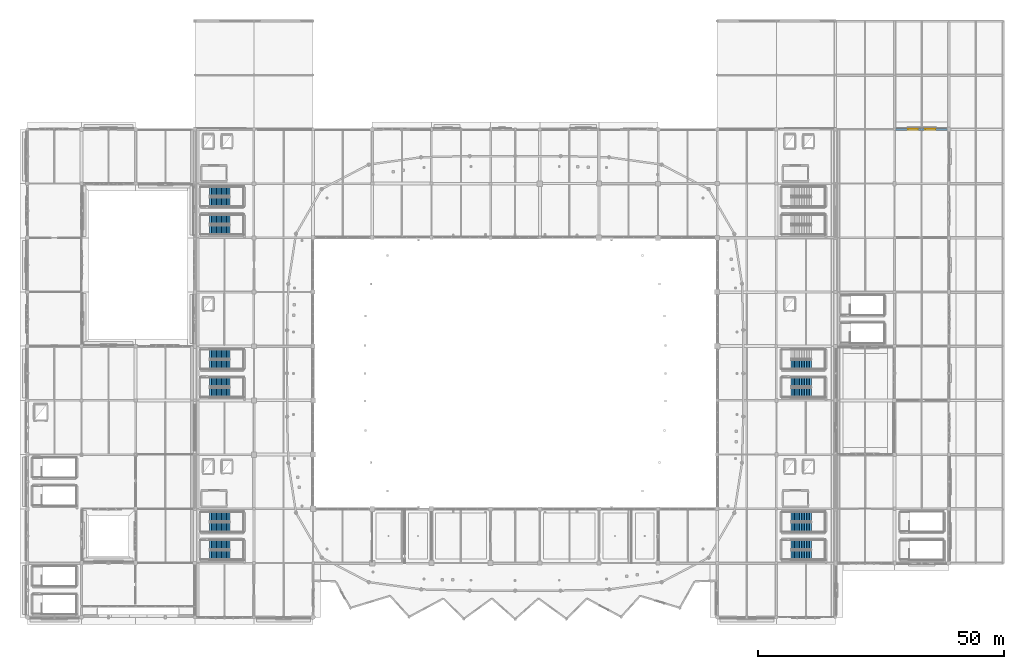
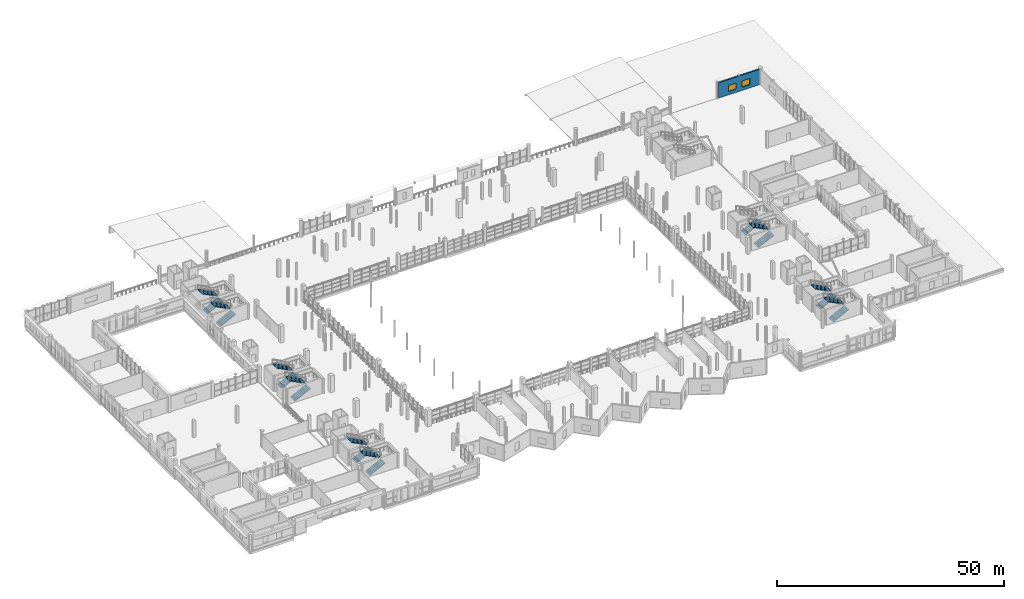
# One storey, part 89 of 118: 19 stair flights, 2 windows, 1 wall, 2 openings, 10 elements without a shape of their own.
"""IFC4 building model written with IfcOpenShell, lengths in metres."""

from ifc_helpers import new_model, si_unit, direction, frame, frame_2d, origin, place, context, subcontext, project, spatial, polyline, rectangle, outline, extrude, material, layer, layer_set, type_object, element, fill, aggregate, save


model = new_model("IFC4")

# Units and contexts
model_context = context("Model", 3, precision=1e-05, world=origin(), true_north=direction((0.0, 1.0)))
body_context = subcontext(model_context, "Body", "Model", "MODEL_VIEW")
ifc_project = project(units=[si_unit("LENGTHUNIT", "METRE"), si_unit("AREAUNIT", "SQUARE_METRE"), si_unit("VOLUMEUNIT", "CUBIC_METRE"), si_unit("PLANEANGLEUNIT", "RADIAN"), si_unit("MASSUNIT", "GRAM", prefix="KILO")], contexts=[model_context])

# Site, building, storey
site_placement = place(None, origin())
site = spatial("IfcSite", under=ifc_project, at=site_placement, CompositionType="ELEMENT")
building_placement = place(site_placement, origin())
building = spatial("IfcBuilding", under=site, at=building_placement, Name="Luwafu Chhajja Arena", CompositionType="ELEMENT")
storey_placement = place(building_placement, frame((0.0, 0.0, 10.199951171875)))
storey = spatial("IfcBuildingStorey", under=building, at=storey_placement, Name="L02", CompositionType="ELEMENT", Elevation=10.199951171875)

# Wall, openings, windows
ifc_material_1 = material(Name="Concrete C35/45", Category="concrete")
ifc_layer_1 = layer(ifc_material_1, 0.360107421875, Name="Concrete C35/45")
ifc_layer_set_1 = layer_set([ifc_layer_1], Name="Concrete C35/45")
wall_type = type_object("IfcWallType", Name="Sandstone Backed Exterior Wall 360", PredefinedType="SOLIDWALL", material=ifc_layer_set_1)
wall_placement = place(storey_placement, frame((176.219970703125, 99.0, 0.0), z_axis=(0.0, 0.0, 1.0), x_axis=(1.0, 0.0, 0.0)))
wall = element("IfcWall", 1, at=wall_placement, inside=storey, type_object=wall_type, Name="L02 Exterior Wall WEX-L02-178", PredefinedType="SOLIDWALL", context=body_context, shape_type="SweptSolid", body=[
    extrude(rectangle(XDim=10.56005859375, YDim=0.360107421875, at=frame_2d((5.280029296875, 0.0))), origin(), (0.0, 0.0, 1.0), 4.14501953125),
])
opening_1_placement = place(wall_placement, frame((2.52001953125, 0.0, 0.89990234375)))
opening_1 = element("IfcOpeningElement", 2, at=opening_1_placement, cuts=wall, Name="Opening WN-10", PredefinedType="OPENING", context=body_context, shape_type="SweptSolid", body=[
    extrude(rectangle(XDim=2.0, YDim=1.64990234375, at=frame_2d((1.0, 0.824951171875))), frame((0.0, 0.18994140625, 0.0), z_axis=(0.0, -1.0, 0.0), x_axis=(1.0, 0.0, 0.0)), (0.0, 0.0, 1.0), 0.380126953125),
])
opening_2_placement = place(wall_placement, frame((6.0400390625, 0.0, 0.89990234375)))
opening_2 = element("IfcOpeningElement", 3, at=opening_2_placement, cuts=wall, Name="Opening WN-10", PredefinedType="OPENING", context=body_context, shape_type="SweptSolid", body=[
    extrude(rectangle(XDim=2.0, YDim=1.64990234375, at=frame_2d((1.0, 0.824951171875))), frame((0.0, 0.18994140625, 0.0), z_axis=(0.0, -1.0, 0.0), x_axis=(1.0, 0.0, 0.0)), (0.0, 0.0, 1.0), 0.380126953125),
])
ifc_material_2 = material(Name="Solar-control laminated glass", Category="glass")
window_type = type_object("IfcWindowType", Name="Community Classroom Window 2000x1650", PartitioningType="SINGLE_PANEL", PredefinedType="WINDOW", material=ifc_material_2)
window_1_placement = place(opening_1_placement, origin())
window_1 = element("IfcWindow", 4, at=window_1_placement, inside=storey, type_object=window_type, Name="L02 Facade Window 115", OverallHeight=1.64990234375, OverallWidth=2.0, PartitioningType="SINGLE_PANEL", PredefinedType="WINDOW", context=body_context, shape_type="SweptSolid", body=[
    extrude(rectangle(XDim=2.0, YDim=1.64990234375, at=frame_2d((1.0, 0.824951171875))), frame((0.0, 0.030029296875, 0.0), z_axis=(0.0, -1.0, 0.0), x_axis=(1.0, 0.0, 0.0)), (0.0, 0.0, 1.0), 0.06005859375),
])
fill(opening_1, window_1)
window_2_placement = place(opening_2_placement, origin())
window_2 = element("IfcWindow", 5, at=window_2_placement, inside=storey, type_object=window_type, Name="L02 Facade Window 116", OverallHeight=1.64990234375, OverallWidth=2.0, PartitioningType="SINGLE_PANEL", PredefinedType="WINDOW", context=body_context, shape_type="SweptSolid", body=[
    extrude(rectangle(XDim=2.0, YDim=1.64990234375, at=frame_2d((1.0, 0.824951171875))), frame((0.0, 0.030029296875, 0.0), z_axis=(0.0, -1.0, 0.0), x_axis=(1.0, 0.0, 0.0)), (0.0, 0.0, 1.0), 0.06005859375),
])
fill(opening_2, window_2)

# Stair, stair flights
stair_type = type_object("IfcStairType", Name="Quadrant Protected Dog-Leg Stair 1920", PredefinedType="HALF_TURN_STAIR", material=ifc_material_1)
stair_1_placement = place(storey_placement, origin())
stair_1 = element("IfcStair", 6, at=stair_1_placement, inside=storey, type_object=stair_type, Name="L02 Protected Escape Stair ST-01", PredefinedType="HALF_TURN_STAIR")
ifc_layer_2 = layer(ifc_material_1, 0.169921875, Name="Concrete C35/45")
ifc_layer_set_2 = layer_set([ifc_layer_2], Name="Concrete C35/45")
stair_flight_type = type_object("IfcStairFlightType", Name="RC Escape Stair Flight 1920", PredefinedType="STRAIGHT", material=ifc_layer_set_2)
stair_flight_1_placement = place(storey_placement, frame((37.02001953125, 12.610107421875, 0.0), z_axis=(0.0, 0.0, 1.0), x_axis=(1.0, 0.0, 0.0)))
stair_flight_1 = element("IfcStairFlight", 7, at=stair_flight_1_placement, type_object=stair_flight_type, Name="ST-01 flight 1", NumberOfRisers=13, NumberOfTreads=12, PredefinedType="STRAIGHT", RiserHeight=0.173076923, TreadLength=0.34, context=body_context, shape_type="SweptSolid", body=[
    extrude(outline(polyline([(0.0, 0.0), (0.0, 0.173095703125), (0.340087890625, 0.173095703125), (0.340087890625, 0.34619140625), (0.679931640625, 0.34619140625), (0.679931640625, 0.519287109375), (1.02001953125, 0.519287109375), (1.02001953125, 0.6923828125), (1.360107421875, 0.6923828125), (1.360107421875, 0.865478515625), (1.699951171875, 0.865478515625), (1.699951171875, 1.03857421875), (2.0400390625, 1.03857421875), (2.0400390625, 1.21142578125), (2.3798828125, 1.21142578125), (2.3798828125, 1.384521484375), (2.719970703125, 1.384521484375), (2.719970703125, 1.5576171875), (3.06005859375, 1.5576171875), (3.06005859375, 1.730712890625), (3.39990234375, 1.730712890625), (3.39990234375, 1.90380859375), (3.739990234375, 1.90380859375), (3.739990234375, 2.076904296875), (4.080078125, 2.076904296875), (4.080078125, 2.25), (4.080078125, 1.88623046875), (0.37451171875, 0.0), (0.0, 0.0)])), frame((0.0, 0.9599609375, 0.0), z_axis=(0.0, -1.0, 0.0), x_axis=(1.0, 0.0, 0.0)), (0.0, 0.0, 1.0), 1.919921875),
])
stair_flight_2_placement = place(storey_placement, frame((41.10009765625, 14.72998046875, 2.25), z_axis=(0.0, 0.0, 1.0), x_axis=(-1.0, 0.0, 0.0)))
stair_flight_2 = element("IfcStairFlight", 8, at=stair_flight_2_placement, type_object=stair_flight_type, Name="ST-01 flight 2", NumberOfRisers=13, NumberOfTreads=12, PredefinedType="STRAIGHT", RiserHeight=0.173076923, TreadLength=0.34, context=body_context, shape_type="SweptSolid", body=[
    extrude(outline(polyline([(0.0, 0.0), (0.0, 0.173095703125), (0.340087890625, 0.173095703125), (0.340087890625, 0.34619140625), (0.679931640625, 0.34619140625), (0.679931640625, 0.519287109375), (1.02001953125, 0.519287109375), (1.02001953125, 0.6923828125), (1.360107421875, 0.6923828125), (1.360107421875, 0.865478515625), (1.699951171875, 0.865478515625), (1.699951171875, 1.03857421875), (2.0400390625, 1.03857421875), (2.0400390625, 1.21142578125), (2.3798828125, 1.21142578125), (2.3798828125, 1.384521484375), (2.719970703125, 1.384521484375), (2.719970703125, 1.5576171875), (3.06005859375, 1.5576171875), (3.06005859375, 1.730712890625), (3.39990234375, 1.730712890625), (3.39990234375, 1.90380859375), (3.739990234375, 1.90380859375), (3.739990234375, 2.076904296875), (4.080078125, 2.076904296875), (4.080078125, 2.25), (4.080078125, 1.88623046875), (0.37451171875, 0.0), (0.0, 0.0)])), frame((0.0, 0.9599609375, 0.0), z_axis=(0.0, -1.0, 0.0), x_axis=(1.0, 0.0, 0.0)), (0.0, 0.0, 1.0), 1.919921875),
])
aggregate(stair_1, [stair_flight_1, stair_flight_2])

stair_2_placement = place(storey_placement, origin())
stair_2 = element("IfcStair", 9, at=stair_2_placement, inside=storey, type_object=stair_type, Name="L02 Protected Escape Stair ST-02", PredefinedType="HALF_TURN_STAIR")
stair_flight_3_placement = place(storey_placement, frame((37.02001953125, 18.27001953125, 0.0), z_axis=(0.0, 0.0, 1.0), x_axis=(1.0, 0.0, 0.0)))
stair_flight_3 = element("IfcStairFlight", 10, at=stair_flight_3_placement, type_object=stair_flight_type, Name="ST-02 flight 1", NumberOfRisers=13, NumberOfTreads=12, PredefinedType="STRAIGHT", RiserHeight=0.173076923, TreadLength=0.34, context=body_context, shape_type="SweptSolid", body=[
    extrude(outline(polyline([(0.0, 0.0), (0.0, 0.173095703125), (0.340087890625, 0.173095703125), (0.340087890625, 0.34619140625), (0.679931640625, 0.34619140625), (0.679931640625, 0.519287109375), (1.02001953125, 0.519287109375), (1.02001953125, 0.6923828125), (1.360107421875, 0.6923828125), (1.360107421875, 0.865478515625), (1.699951171875, 0.865478515625), (1.699951171875, 1.03857421875), (2.0400390625, 1.03857421875), (2.0400390625, 1.21142578125), (2.3798828125, 1.21142578125), (2.3798828125, 1.384521484375), (2.719970703125, 1.384521484375), (2.719970703125, 1.5576171875), (3.06005859375, 1.5576171875), (3.06005859375, 1.730712890625), (3.39990234375, 1.730712890625), (3.39990234375, 1.90380859375), (3.739990234375, 1.90380859375), (3.739990234375, 2.076904296875), (4.080078125, 2.076904296875), (4.080078125, 2.25), (4.080078125, 1.88623046875), (0.37451171875, 0.0), (0.0, 0.0)])), frame((0.0, 0.9599609375, 0.0), z_axis=(0.0, -1.0, 0.0), x_axis=(1.0, 0.0, 0.0)), (0.0, 0.0, 1.0), 1.919921875),
])
stair_flight_4_placement = place(storey_placement, frame((41.10009765625, 20.389892578125, 2.25), z_axis=(0.0, 0.0, 1.0), x_axis=(-1.0, 0.0, 0.0)))
stair_flight_4 = element("IfcStairFlight", 11, at=stair_flight_4_placement, type_object=stair_flight_type, Name="ST-02 flight 2", NumberOfRisers=13, NumberOfTreads=12, PredefinedType="STRAIGHT", RiserHeight=0.173076923, TreadLength=0.34, context=body_context, shape_type="SweptSolid", body=[
    extrude(outline(polyline([(0.0, 0.0), (0.0, 0.173095703125), (0.340087890625, 0.173095703125), (0.340087890625, 0.34619140625), (0.679931640625, 0.34619140625), (0.679931640625, 0.519287109375), (1.02001953125, 0.519287109375), (1.02001953125, 0.6923828125), (1.360107421875, 0.6923828125), (1.360107421875, 0.865478515625), (1.699951171875, 0.865478515625), (1.699951171875, 1.03857421875), (2.0400390625, 1.03857421875), (2.0400390625, 1.21142578125), (2.3798828125, 1.21142578125), (2.3798828125, 1.384521484375), (2.719970703125, 1.384521484375), (2.719970703125, 1.5576171875), (3.06005859375, 1.5576171875), (3.06005859375, 1.730712890625), (3.39990234375, 1.730712890625), (3.39990234375, 1.90380859375), (3.739990234375, 1.90380859375), (3.739990234375, 2.076904296875), (4.080078125, 2.076904296875), (4.080078125, 2.25), (4.080078125, 1.88623046875), (0.37451171875, 0.0), (0.0, 0.0)])), frame((0.0, 0.9599609375, 0.0), z_axis=(0.0, -1.0, 0.0), x_axis=(1.0, 0.0, 0.0)), (0.0, 0.0, 1.0), 1.919921875),
])
aggregate(stair_2, [stair_flight_3, stair_flight_4])

stair_3_placement = place(storey_placement, origin())
stair_3 = element("IfcStair", 12, at=stair_3_placement, inside=storey, type_object=stair_type, Name="L02 Protected Escape Stair ST-03", PredefinedType="HALF_TURN_STAIR")
stair_flight_5_placement = place(storey_placement, frame((155.02001953125, 12.610107421875, 0.0), z_axis=(0.0, 0.0, 1.0), x_axis=(1.0, 0.0, 0.0)))
stair_flight_5 = element("IfcStairFlight", 13, at=stair_flight_5_placement, type_object=stair_flight_type, Name="ST-03 flight 1", NumberOfRisers=13, NumberOfTreads=12, PredefinedType="STRAIGHT", RiserHeight=0.173076923, TreadLength=0.34, context=body_context, shape_type="SweptSolid", body=[
    extrude(outline(polyline([(0.0, 0.0), (0.0, 0.173095703125), (0.340087890625, 0.173095703125), (0.340087890625, 0.34619140625), (0.679931640625, 0.34619140625), (0.679931640625, 0.519287109375), (1.02001953125, 0.519287109375), (1.02001953125, 0.6923828125), (1.360107421875, 0.6923828125), (1.360107421875, 0.865478515625), (1.699951171875, 0.865478515625), (1.699951171875, 1.03857421875), (2.0400390625, 1.03857421875), (2.0400390625, 1.21142578125), (2.3798828125, 1.21142578125), (2.3798828125, 1.384521484375), (2.719970703125, 1.384521484375), (2.719970703125, 1.5576171875), (3.06005859375, 1.5576171875), (3.06005859375, 1.730712890625), (3.39990234375, 1.730712890625), (3.39990234375, 1.90380859375), (3.739990234375, 1.90380859375), (3.739990234375, 2.076904296875), (4.080078125, 2.076904296875), (4.080078125, 2.25), (4.080078125, 1.88623046875), (0.37451171875, 0.0), (0.0, 0.0)])), frame((0.0, 0.9599609375, 0.0), z_axis=(0.0, -1.0, 0.0), x_axis=(1.0, 0.0, 0.0)), (0.0, 0.0, 1.0), 1.919921875),
])
stair_flight_6_placement = place(storey_placement, frame((159.10009765625, 14.72998046875, 2.25), z_axis=(0.0, 0.0, 1.0), x_axis=(-1.0, 0.0, 0.0)))
stair_flight_6 = element("IfcStairFlight", 14, at=stair_flight_6_placement, type_object=stair_flight_type, Name="ST-03 flight 2", NumberOfRisers=13, NumberOfTreads=12, PredefinedType="STRAIGHT", RiserHeight=0.173076923, TreadLength=0.34, context=body_context, shape_type="SweptSolid", body=[
    extrude(outline(polyline([(0.0, 0.0), (0.0, 0.173095703125), (0.340087890625, 0.173095703125), (0.340087890625, 0.34619140625), (0.679931640625, 0.34619140625), (0.679931640625, 0.519287109375), (1.02001953125, 0.519287109375), (1.02001953125, 0.6923828125), (1.360107421875, 0.6923828125), (1.360107421875, 0.865478515625), (1.699951171875, 0.865478515625), (1.699951171875, 1.03857421875), (2.0400390625, 1.03857421875), (2.0400390625, 1.21142578125), (2.3798828125, 1.21142578125), (2.3798828125, 1.384521484375), (2.719970703125, 1.384521484375), (2.719970703125, 1.5576171875), (3.06005859375, 1.5576171875), (3.06005859375, 1.730712890625), (3.39990234375, 1.730712890625), (3.39990234375, 1.90380859375), (3.739990234375, 1.90380859375), (3.739990234375, 2.076904296875), (4.080078125, 2.076904296875), (4.080078125, 2.25), (4.080078125, 1.88623046875), (0.37451171875, 0.0), (0.0, 0.0)])), frame((0.0, 0.9599609375, 0.0), z_axis=(0.0, -1.0, 0.0), x_axis=(1.0, 0.0, 0.0)), (0.0, 0.0, 1.0), 1.919921875),
])
aggregate(stair_3, [stair_flight_5, stair_flight_6])

stair_4_placement = place(storey_placement, origin())
stair_4 = element("IfcStair", 15, at=stair_4_placement, inside=storey, type_object=stair_type, Name="L02 Protected Escape Stair ST-04", PredefinedType="HALF_TURN_STAIR")
stair_flight_7_placement = place(storey_placement, frame((155.02001953125, 18.27001953125, 0.0), z_axis=(0.0, 0.0, 1.0), x_axis=(1.0, 0.0, 0.0)))
stair_flight_7 = element("IfcStairFlight", 16, at=stair_flight_7_placement, type_object=stair_flight_type, Name="ST-04 flight 1", NumberOfRisers=13, NumberOfTreads=12, PredefinedType="STRAIGHT", RiserHeight=0.173076923, TreadLength=0.34, context=body_context, shape_type="SweptSolid", body=[
    extrude(outline(polyline([(0.0, 0.0), (0.0, 0.173095703125), (0.340087890625, 0.173095703125), (0.340087890625, 0.34619140625), (0.679931640625, 0.34619140625), (0.679931640625, 0.519287109375), (1.02001953125, 0.519287109375), (1.02001953125, 0.6923828125), (1.360107421875, 0.6923828125), (1.360107421875, 0.865478515625), (1.699951171875, 0.865478515625), (1.699951171875, 1.03857421875), (2.0400390625, 1.03857421875), (2.0400390625, 1.21142578125), (2.3798828125, 1.21142578125), (2.3798828125, 1.384521484375), (2.719970703125, 1.384521484375), (2.719970703125, 1.5576171875), (3.06005859375, 1.5576171875), (3.06005859375, 1.730712890625), (3.39990234375, 1.730712890625), (3.39990234375, 1.90380859375), (3.739990234375, 1.90380859375), (3.739990234375, 2.076904296875), (4.080078125, 2.076904296875), (4.080078125, 2.25), (4.080078125, 1.88623046875), (0.37451171875, 0.0), (0.0, 0.0)])), frame((0.0, 0.9599609375, 0.0), z_axis=(0.0, -1.0, 0.0), x_axis=(1.0, 0.0, 0.0)), (0.0, 0.0, 1.0), 1.919921875),
])
stair_flight_8_placement = place(storey_placement, frame((159.10009765625, 20.389892578125, 2.25), z_axis=(0.0, 0.0, 1.0), x_axis=(-1.0, 0.0, 0.0)))
stair_flight_8 = element("IfcStairFlight", 17, at=stair_flight_8_placement, type_object=stair_flight_type, Name="ST-04 flight 2", NumberOfRisers=13, NumberOfTreads=12, PredefinedType="STRAIGHT", RiserHeight=0.173076923, TreadLength=0.34, context=body_context, shape_type="SweptSolid", body=[
    extrude(outline(polyline([(0.0, 0.0), (0.0, 0.173095703125), (0.340087890625, 0.173095703125), (0.340087890625, 0.34619140625), (0.679931640625, 0.34619140625), (0.679931640625, 0.519287109375), (1.02001953125, 0.519287109375), (1.02001953125, 0.6923828125), (1.360107421875, 0.6923828125), (1.360107421875, 0.865478515625), (1.699951171875, 0.865478515625), (1.699951171875, 1.03857421875), (2.0400390625, 1.03857421875), (2.0400390625, 1.21142578125), (2.3798828125, 1.21142578125), (2.3798828125, 1.384521484375), (2.719970703125, 1.384521484375), (2.719970703125, 1.5576171875), (3.06005859375, 1.5576171875), (3.06005859375, 1.730712890625), (3.39990234375, 1.730712890625), (3.39990234375, 1.90380859375), (3.739990234375, 1.90380859375), (3.739990234375, 2.076904296875), (4.080078125, 2.076904296875), (4.080078125, 2.25), (4.080078125, 1.88623046875), (0.37451171875, 0.0), (0.0, 0.0)])), frame((0.0, 0.9599609375, 0.0), z_axis=(0.0, -1.0, 0.0), x_axis=(1.0, 0.0, 0.0)), (0.0, 0.0, 1.0), 1.919921875),
])
aggregate(stair_4, [stair_flight_7, stair_flight_8])

stair_5_placement = place(storey_placement, origin())
stair_5 = element("IfcStair", 18, at=stair_5_placement, inside=storey, type_object=stair_type, Name="L02 Protected Escape Stair ST-05", PredefinedType="HALF_TURN_STAIR")
stair_flight_9_placement = place(storey_placement, frame((37.02001953125, 78.610107421875, 0.0), z_axis=(0.0, 0.0, 1.0), x_axis=(1.0, 0.0, 0.0)))
stair_flight_9 = element("IfcStairFlight", 19, at=stair_flight_9_placement, type_object=stair_flight_type, Name="ST-05 flight 1", NumberOfRisers=13, NumberOfTreads=12, PredefinedType="STRAIGHT", RiserHeight=0.173076923, TreadLength=0.34, context=body_context, shape_type="SweptSolid", body=[
    extrude(outline(polyline([(0.0, 0.0), (0.0, 0.173095703125), (0.340087890625, 0.173095703125), (0.340087890625, 0.34619140625), (0.679931640625, 0.34619140625), (0.679931640625, 0.519287109375), (1.02001953125, 0.519287109375), (1.02001953125, 0.6923828125), (1.360107421875, 0.6923828125), (1.360107421875, 0.865478515625), (1.699951171875, 0.865478515625), (1.699951171875, 1.03857421875), (2.0400390625, 1.03857421875), (2.0400390625, 1.21142578125), (2.3798828125, 1.21142578125), (2.3798828125, 1.384521484375), (2.719970703125, 1.384521484375), (2.719970703125, 1.5576171875), (3.06005859375, 1.5576171875), (3.06005859375, 1.730712890625), (3.39990234375, 1.730712890625), (3.39990234375, 1.90380859375), (3.739990234375, 1.90380859375), (3.739990234375, 2.076904296875), (4.080078125, 2.076904296875), (4.080078125, 2.25), (4.080078125, 1.88623046875), (0.37451171875, 0.0), (0.0, 0.0)])), frame((0.0, 0.9599609375, 0.0), z_axis=(0.0, -1.0, 0.0), x_axis=(1.0, 0.0, 0.0)), (0.0, 0.0, 1.0), 1.919921875),
])
stair_flight_10_placement = place(storey_placement, frame((41.10009765625, 80.72998046875, 2.25), z_axis=(0.0, 0.0, 1.0), x_axis=(-1.0, 0.0, 0.0)))
stair_flight_10 = element("IfcStairFlight", 20, at=stair_flight_10_placement, type_object=stair_flight_type, Name="ST-05 flight 2", NumberOfRisers=13, NumberOfTreads=12, PredefinedType="STRAIGHT", RiserHeight=0.173076923, TreadLength=0.34, context=body_context, shape_type="SweptSolid", body=[
    extrude(outline(polyline([(0.0, 0.0), (0.0, 0.173095703125), (0.340087890625, 0.173095703125), (0.340087890625, 0.34619140625), (0.679931640625, 0.34619140625), (0.679931640625, 0.519287109375), (1.02001953125, 0.519287109375), (1.02001953125, 0.6923828125), (1.360107421875, 0.6923828125), (1.360107421875, 0.865478515625), (1.699951171875, 0.865478515625), (1.699951171875, 1.03857421875), (2.0400390625, 1.03857421875), (2.0400390625, 1.21142578125), (2.3798828125, 1.21142578125), (2.3798828125, 1.384521484375), (2.719970703125, 1.384521484375), (2.719970703125, 1.5576171875), (3.06005859375, 1.5576171875), (3.06005859375, 1.730712890625), (3.39990234375, 1.730712890625), (3.39990234375, 1.90380859375), (3.739990234375, 1.90380859375), (3.739990234375, 2.076904296875), (4.080078125, 2.076904296875), (4.080078125, 2.25), (4.080078125, 1.88623046875), (0.37451171875, 0.0), (0.0, 0.0)])), frame((0.0, 0.9599609375, 0.0), z_axis=(0.0, -1.0, 0.0), x_axis=(1.0, 0.0, 0.0)), (0.0, 0.0, 1.0), 1.919921875),
])
aggregate(stair_5, [stair_flight_9, stair_flight_10])

stair_6_placement = place(storey_placement, origin())
stair_6 = element("IfcStair", 21, at=stair_6_placement, inside=storey, type_object=stair_type, Name="L02 Protected Escape Stair ST-06", PredefinedType="HALF_TURN_STAIR")
stair_flight_11_placement = place(storey_placement, frame((37.02001953125, 84.27001953125, 0.0), z_axis=(0.0, 0.0, 1.0), x_axis=(1.0, 0.0, 0.0)))
stair_flight_11 = element("IfcStairFlight", 22, at=stair_flight_11_placement, type_object=stair_flight_type, Name="ST-06 flight 1", NumberOfRisers=13, NumberOfTreads=12, PredefinedType="STRAIGHT", RiserHeight=0.173076923, TreadLength=0.34, context=body_context, shape_type="SweptSolid", body=[
    extrude(outline(polyline([(0.0, 0.0), (0.0, 0.173095703125), (0.340087890625, 0.173095703125), (0.340087890625, 0.34619140625), (0.679931640625, 0.34619140625), (0.679931640625, 0.519287109375), (1.02001953125, 0.519287109375), (1.02001953125, 0.6923828125), (1.360107421875, 0.6923828125), (1.360107421875, 0.865478515625), (1.699951171875, 0.865478515625), (1.699951171875, 1.03857421875), (2.0400390625, 1.03857421875), (2.0400390625, 1.21142578125), (2.3798828125, 1.21142578125), (2.3798828125, 1.384521484375), (2.719970703125, 1.384521484375), (2.719970703125, 1.5576171875), (3.06005859375, 1.5576171875), (3.06005859375, 1.730712890625), (3.39990234375, 1.730712890625), (3.39990234375, 1.90380859375), (3.739990234375, 1.90380859375), (3.739990234375, 2.076904296875), (4.080078125, 2.076904296875), (4.080078125, 2.25), (4.080078125, 1.88623046875), (0.37451171875, 0.0), (0.0, 0.0)])), frame((0.0, 0.9599609375, 0.0), z_axis=(0.0, -1.0, 0.0), x_axis=(1.0, 0.0, 0.0)), (0.0, 0.0, 1.0), 1.919921875),
])
stair_flight_12_placement = place(storey_placement, frame((41.10009765625, 86.389892578125, 2.25), z_axis=(0.0, 0.0, 1.0), x_axis=(-1.0, 0.0, 0.0)))
stair_flight_12 = element("IfcStairFlight", 23, at=stair_flight_12_placement, type_object=stair_flight_type, Name="ST-06 flight 2", NumberOfRisers=13, NumberOfTreads=12, PredefinedType="STRAIGHT", RiserHeight=0.173076923, TreadLength=0.34, context=body_context, shape_type="SweptSolid", body=[
    extrude(outline(polyline([(0.0, 0.0), (0.0, 0.173095703125), (0.340087890625, 0.173095703125), (0.340087890625, 0.34619140625), (0.679931640625, 0.34619140625), (0.679931640625, 0.519287109375), (1.02001953125, 0.519287109375), (1.02001953125, 0.6923828125), (1.360107421875, 0.6923828125), (1.360107421875, 0.865478515625), (1.699951171875, 0.865478515625), (1.699951171875, 1.03857421875), (2.0400390625, 1.03857421875), (2.0400390625, 1.21142578125), (2.3798828125, 1.21142578125), (2.3798828125, 1.384521484375), (2.719970703125, 1.384521484375), (2.719970703125, 1.5576171875), (3.06005859375, 1.5576171875), (3.06005859375, 1.730712890625), (3.39990234375, 1.730712890625), (3.39990234375, 1.90380859375), (3.739990234375, 1.90380859375), (3.739990234375, 2.076904296875), (4.080078125, 2.076904296875), (4.080078125, 2.25), (4.080078125, 1.88623046875), (0.37451171875, 0.0), (0.0, 0.0)])), frame((0.0, 0.9599609375, 0.0), z_axis=(0.0, -1.0, 0.0), x_axis=(1.0, 0.0, 0.0)), (0.0, 0.0, 1.0), 1.919921875),
])
aggregate(stair_6, [stair_flight_11, stair_flight_12])

stair_7_placement = place(storey_placement, origin())
stair_7 = element("IfcStair", 24, at=stair_7_placement, inside=storey, type_object=stair_type, Name="L02 Protected Escape Stair ST-09", PredefinedType="HALF_TURN_STAIR")
stair_flight_13_placement = place(storey_placement, frame((37.02001953125, 45.610107421875, 0.0), z_axis=(0.0, 0.0, 1.0), x_axis=(1.0, 0.0, 0.0)))
stair_flight_13 = element("IfcStairFlight", 25, at=stair_flight_13_placement, type_object=stair_flight_type, Name="ST-09 flight 1", NumberOfRisers=13, NumberOfTreads=12, PredefinedType="STRAIGHT", RiserHeight=0.173076923, TreadLength=0.34, context=body_context, shape_type="SweptSolid", body=[
    extrude(outline(polyline([(0.0, 0.0), (0.0, 0.173095703125), (0.340087890625, 0.173095703125), (0.340087890625, 0.34619140625), (0.679931640625, 0.34619140625), (0.679931640625, 0.519287109375), (1.02001953125, 0.519287109375), (1.02001953125, 0.6923828125), (1.360107421875, 0.6923828125), (1.360107421875, 0.865478515625), (1.699951171875, 0.865478515625), (1.699951171875, 1.03857421875), (2.0400390625, 1.03857421875), (2.0400390625, 1.21142578125), (2.3798828125, 1.21142578125), (2.3798828125, 1.384521484375), (2.719970703125, 1.384521484375), (2.719970703125, 1.5576171875), (3.06005859375, 1.5576171875), (3.06005859375, 1.730712890625), (3.39990234375, 1.730712890625), (3.39990234375, 1.90380859375), (3.739990234375, 1.90380859375), (3.739990234375, 2.076904296875), (4.080078125, 2.076904296875), (4.080078125, 2.25), (4.080078125, 1.88623046875), (0.37451171875, 0.0), (0.0, 0.0)])), frame((0.0, 0.9599609375, 0.0), z_axis=(0.0, -1.0, 0.0), x_axis=(1.0, 0.0, 0.0)), (0.0, 0.0, 1.0), 1.919921875),
])
stair_flight_14_placement = place(storey_placement, frame((41.10009765625, 47.72998046875, 2.25), z_axis=(0.0, 0.0, 1.0), x_axis=(-1.0, 0.0, 0.0)))
stair_flight_14 = element("IfcStairFlight", 26, at=stair_flight_14_placement, type_object=stair_flight_type, Name="ST-09 flight 2", NumberOfRisers=13, NumberOfTreads=12, PredefinedType="STRAIGHT", RiserHeight=0.173076923, TreadLength=0.34, context=body_context, shape_type="SweptSolid", body=[
    extrude(outline(polyline([(0.0, 0.0), (0.0, 0.173095703125), (0.340087890625, 0.173095703125), (0.340087890625, 0.34619140625), (0.679931640625, 0.34619140625), (0.679931640625, 0.519287109375), (1.02001953125, 0.519287109375), (1.02001953125, 0.6923828125), (1.360107421875, 0.6923828125), (1.360107421875, 0.865478515625), (1.699951171875, 0.865478515625), (1.699951171875, 1.03857421875), (2.0400390625, 1.03857421875), (2.0400390625, 1.21142578125), (2.3798828125, 1.21142578125), (2.3798828125, 1.384521484375), (2.719970703125, 1.384521484375), (2.719970703125, 1.5576171875), (3.06005859375, 1.5576171875), (3.06005859375, 1.730712890625), (3.39990234375, 1.730712890625), (3.39990234375, 1.90380859375), (3.739990234375, 1.90380859375), (3.739990234375, 2.076904296875), (4.080078125, 2.076904296875), (4.080078125, 2.25), (4.080078125, 1.88623046875), (0.37451171875, 0.0), (0.0, 0.0)])), frame((0.0, 0.9599609375, 0.0), z_axis=(0.0, -1.0, 0.0), x_axis=(1.0, 0.0, 0.0)), (0.0, 0.0, 1.0), 1.919921875),
])
aggregate(stair_7, [stair_flight_13, stair_flight_14])

stair_8_placement = place(storey_placement, origin())
stair_8 = element("IfcStair", 27, at=stair_8_placement, inside=storey, type_object=stair_type, Name="L02 Protected Escape Stair ST-10", PredefinedType="HALF_TURN_STAIR")
stair_flight_15_placement = place(storey_placement, frame((37.02001953125, 51.27001953125, 0.0), z_axis=(0.0, 0.0, 1.0), x_axis=(1.0, 0.0, 0.0)))
stair_flight_15 = element("IfcStairFlight", 28, at=stair_flight_15_placement, type_object=stair_flight_type, Name="ST-10 flight 1", NumberOfRisers=13, NumberOfTreads=12, PredefinedType="STRAIGHT", RiserHeight=0.173076923, TreadLength=0.34, context=body_context, shape_type="SweptSolid", body=[
    extrude(outline(polyline([(0.0, 0.0), (0.0, 0.173095703125), (0.340087890625, 0.173095703125), (0.340087890625, 0.34619140625), (0.679931640625, 0.34619140625), (0.679931640625, 0.519287109375), (1.02001953125, 0.519287109375), (1.02001953125, 0.6923828125), (1.360107421875, 0.6923828125), (1.360107421875, 0.865478515625), (1.699951171875, 0.865478515625), (1.699951171875, 1.03857421875), (2.0400390625, 1.03857421875), (2.0400390625, 1.21142578125), (2.3798828125, 1.21142578125), (2.3798828125, 1.384521484375), (2.719970703125, 1.384521484375), (2.719970703125, 1.5576171875), (3.06005859375, 1.5576171875), (3.06005859375, 1.730712890625), (3.39990234375, 1.730712890625), (3.39990234375, 1.90380859375), (3.739990234375, 1.90380859375), (3.739990234375, 2.076904296875), (4.080078125, 2.076904296875), (4.080078125, 2.25), (4.080078125, 1.88623046875), (0.37451171875, 0.0), (0.0, 0.0)])), frame((0.0, 0.9599609375, 0.0), z_axis=(0.0, -1.0, 0.0), x_axis=(1.0, 0.0, 0.0)), (0.0, 0.0, 1.0), 1.919921875),
])
stair_flight_16_placement = place(storey_placement, frame((41.10009765625, 53.389892578125, 2.25), z_axis=(0.0, 0.0, 1.0), x_axis=(-1.0, 0.0, 0.0)))
stair_flight_16 = element("IfcStairFlight", 29, at=stair_flight_16_placement, type_object=stair_flight_type, Name="ST-10 flight 2", NumberOfRisers=13, NumberOfTreads=12, PredefinedType="STRAIGHT", RiserHeight=0.173076923, TreadLength=0.34, context=body_context, shape_type="SweptSolid", body=[
    extrude(outline(polyline([(0.0, 0.0), (0.0, 0.173095703125), (0.340087890625, 0.173095703125), (0.340087890625, 0.34619140625), (0.679931640625, 0.34619140625), (0.679931640625, 0.519287109375), (1.02001953125, 0.519287109375), (1.02001953125, 0.6923828125), (1.360107421875, 0.6923828125), (1.360107421875, 0.865478515625), (1.699951171875, 0.865478515625), (1.699951171875, 1.03857421875), (2.0400390625, 1.03857421875), (2.0400390625, 1.21142578125), (2.3798828125, 1.21142578125), (2.3798828125, 1.384521484375), (2.719970703125, 1.384521484375), (2.719970703125, 1.5576171875), (3.06005859375, 1.5576171875), (3.06005859375, 1.730712890625), (3.39990234375, 1.730712890625), (3.39990234375, 1.90380859375), (3.739990234375, 1.90380859375), (3.739990234375, 2.076904296875), (4.080078125, 2.076904296875), (4.080078125, 2.25), (4.080078125, 1.88623046875), (0.37451171875, 0.0), (0.0, 0.0)])), frame((0.0, 0.9599609375, 0.0), z_axis=(0.0, -1.0, 0.0), x_axis=(1.0, 0.0, 0.0)), (0.0, 0.0, 1.0), 1.919921875),
])
aggregate(stair_8, [stair_flight_15, stair_flight_16])

stair_9_placement = place(storey_placement, origin())
stair_9 = element("IfcStair", 30, at=stair_9_placement, inside=storey, type_object=stair_type, Name="L02 Protected Escape Stair ST-11", PredefinedType="HALF_TURN_STAIR")
stair_flight_17_placement = place(storey_placement, frame((155.02001953125, 45.610107421875, 0.0), z_axis=(0.0, 0.0, 1.0), x_axis=(1.0, 0.0, 0.0)))
stair_flight_17 = element("IfcStairFlight", 31, at=stair_flight_17_placement, type_object=stair_flight_type, Name="ST-11 flight 1", NumberOfRisers=13, NumberOfTreads=12, PredefinedType="STRAIGHT", RiserHeight=0.173076923, TreadLength=0.34, context=body_context, shape_type="SweptSolid", body=[
    extrude(outline(polyline([(0.0, 0.0), (0.0, 0.173095703125), (0.340087890625, 0.173095703125), (0.340087890625, 0.34619140625), (0.679931640625, 0.34619140625), (0.679931640625, 0.519287109375), (1.02001953125, 0.519287109375), (1.02001953125, 0.6923828125), (1.360107421875, 0.6923828125), (1.360107421875, 0.865478515625), (1.699951171875, 0.865478515625), (1.699951171875, 1.03857421875), (2.0400390625, 1.03857421875), (2.0400390625, 1.21142578125), (2.3798828125, 1.21142578125), (2.3798828125, 1.384521484375), (2.719970703125, 1.384521484375), (2.719970703125, 1.5576171875), (3.06005859375, 1.5576171875), (3.06005859375, 1.730712890625), (3.39990234375, 1.730712890625), (3.39990234375, 1.90380859375), (3.739990234375, 1.90380859375), (3.739990234375, 2.076904296875), (4.080078125, 2.076904296875), (4.080078125, 2.25), (4.080078125, 1.88623046875), (0.37451171875, 0.0), (0.0, 0.0)])), frame((0.0, 0.9599609375, 0.0), z_axis=(0.0, -1.0, 0.0), x_axis=(1.0, 0.0, 0.0)), (0.0, 0.0, 1.0), 1.919921875),
])
stair_flight_18_placement = place(storey_placement, frame((159.10009765625, 47.72998046875, 2.25), z_axis=(0.0, 0.0, 1.0), x_axis=(-1.0, 0.0, 0.0)))
stair_flight_18 = element("IfcStairFlight", 32, at=stair_flight_18_placement, type_object=stair_flight_type, Name="ST-11 flight 2", NumberOfRisers=13, NumberOfTreads=12, PredefinedType="STRAIGHT", RiserHeight=0.173076923, TreadLength=0.34, context=body_context, shape_type="SweptSolid", body=[
    extrude(outline(polyline([(0.0, 0.0), (0.0, 0.173095703125), (0.340087890625, 0.173095703125), (0.340087890625, 0.34619140625), (0.679931640625, 0.34619140625), (0.679931640625, 0.519287109375), (1.02001953125, 0.519287109375), (1.02001953125, 0.6923828125), (1.360107421875, 0.6923828125), (1.360107421875, 0.865478515625), (1.699951171875, 0.865478515625), (1.699951171875, 1.03857421875), (2.0400390625, 1.03857421875), (2.0400390625, 1.21142578125), (2.3798828125, 1.21142578125), (2.3798828125, 1.384521484375), (2.719970703125, 1.384521484375), (2.719970703125, 1.5576171875), (3.06005859375, 1.5576171875), (3.06005859375, 1.730712890625), (3.39990234375, 1.730712890625), (3.39990234375, 1.90380859375), (3.739990234375, 1.90380859375), (3.739990234375, 2.076904296875), (4.080078125, 2.076904296875), (4.080078125, 2.25), (4.080078125, 1.88623046875), (0.37451171875, 0.0), (0.0, 0.0)])), frame((0.0, 0.9599609375, 0.0), z_axis=(0.0, -1.0, 0.0), x_axis=(1.0, 0.0, 0.0)), (0.0, 0.0, 1.0), 1.919921875),
])
aggregate(stair_9, [stair_flight_17, stair_flight_18])

# Stair, stair flight
stair_10_placement = place(storey_placement, origin())
stair_10 = element("IfcStair", 33, at=stair_10_placement, inside=storey, type_object=stair_type, Name="L02 Protected Escape Stair ST-12", PredefinedType="HALF_TURN_STAIR")
stair_flight_19_placement = place(storey_placement, frame((155.02001953125, 51.27001953125, 0.0), z_axis=(0.0, 0.0, 1.0), x_axis=(1.0, 0.0, 0.0)))
stair_flight_19 = element("IfcStairFlight", 34, at=stair_flight_19_placement, type_object=stair_flight_type, Name="ST-12 flight 1", NumberOfRisers=13, NumberOfTreads=12, PredefinedType="STRAIGHT", RiserHeight=0.173076923, TreadLength=0.34, context=body_context, shape_type="SweptSolid", body=[
    extrude(outline(polyline([(0.0, 0.0), (0.0, 0.173095703125), (0.340087890625, 0.173095703125), (0.340087890625, 0.34619140625), (0.679931640625, 0.34619140625), (0.679931640625, 0.519287109375), (1.02001953125, 0.519287109375), (1.02001953125, 0.6923828125), (1.360107421875, 0.6923828125), (1.360107421875, 0.865478515625), (1.699951171875, 0.865478515625), (1.699951171875, 1.03857421875), (2.0400390625, 1.03857421875), (2.0400390625, 1.21142578125), (2.3798828125, 1.21142578125), (2.3798828125, 1.384521484375), (2.719970703125, 1.384521484375), (2.719970703125, 1.5576171875), (3.06005859375, 1.5576171875), (3.06005859375, 1.730712890625), (3.39990234375, 1.730712890625), (3.39990234375, 1.90380859375), (3.739990234375, 1.90380859375), (3.739990234375, 2.076904296875), (4.080078125, 2.076904296875), (4.080078125, 2.25), (4.080078125, 1.88623046875), (0.37451171875, 0.0), (0.0, 0.0)])), frame((0.0, 0.9599609375, 0.0), z_axis=(0.0, -1.0, 0.0), x_axis=(1.0, 0.0, 0.0)), (0.0, 0.0, 1.0), 1.919921875),
])
aggregate(stair_10, [stair_flight_19])

save(model, "model.ifc")
